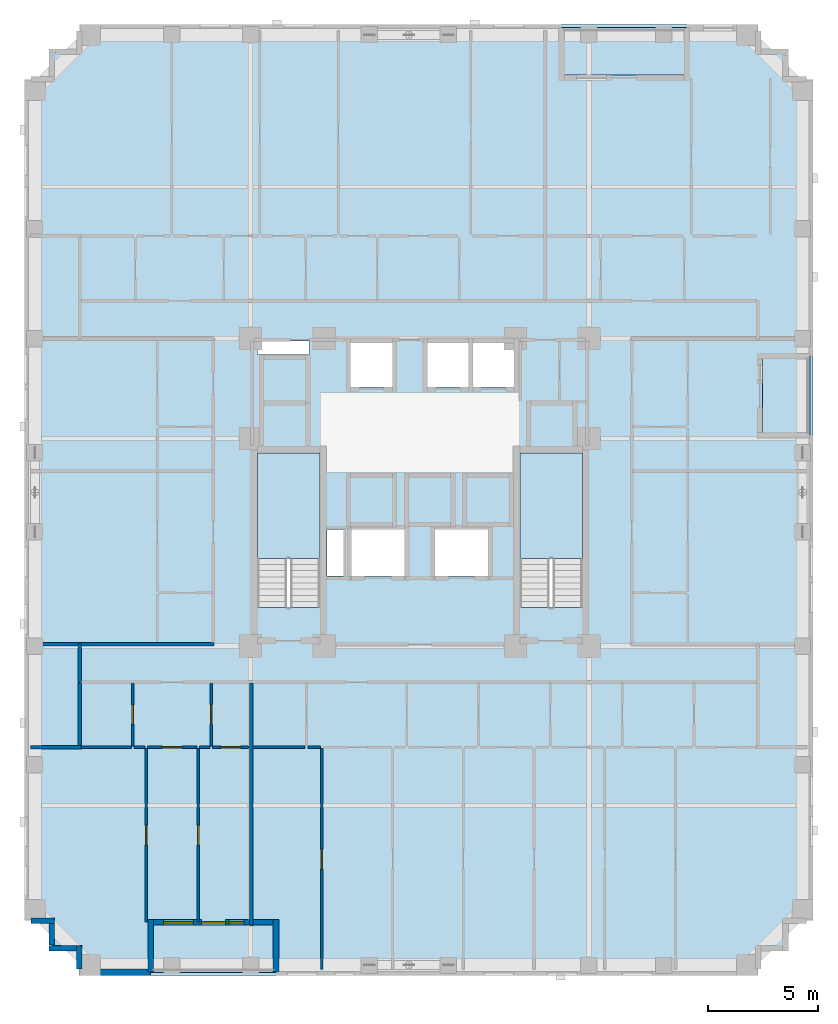
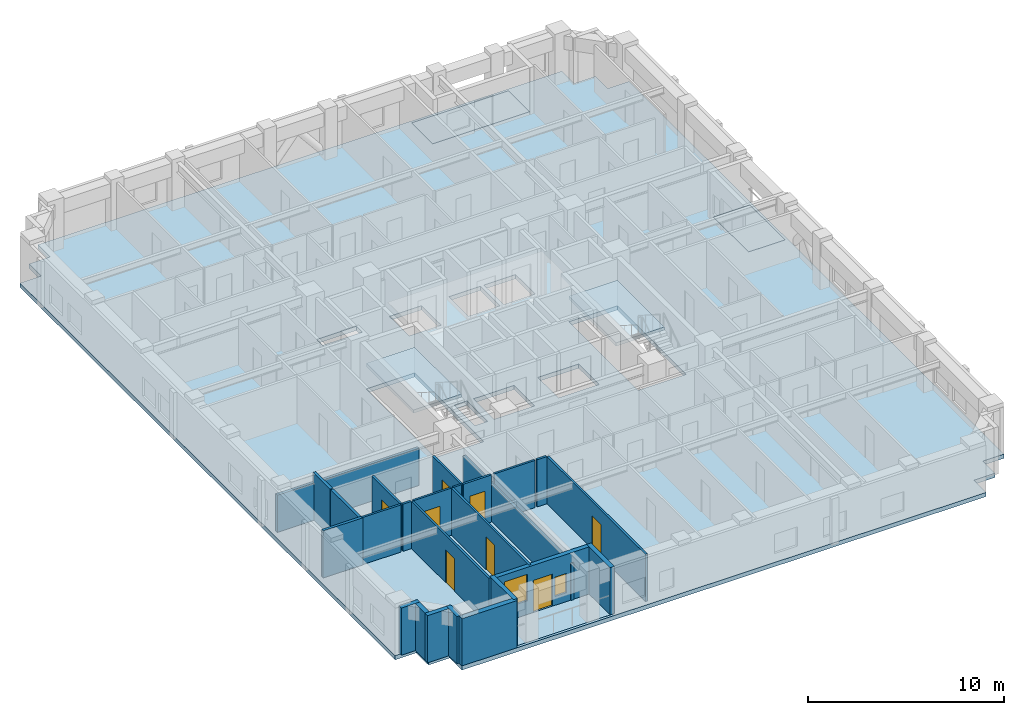
# One storey, part 2 of 12: 25 walls, 8 doors, 6 slabs, 2 windows, 10 openings, 2 elements without a shape of their own.
"""IFC4 building model written with IfcOpenShell, lengths in metres."""

from ifc_helpers import new_model, si_unit, derived_unit, direction, frame, frame_2d, origin, place, context, subcontext, project, spatial, polyline, rectangle, outline, extrude, material, layer, layer_set, type_object, element, fill, aggregate, save


model = new_model("IFC4")

# Units and contexts
model_context = context("Model", 3, precision=1e-05, world=origin(), true_north=direction((0.0, 1.0)))
body_context = subcontext(model_context, "Body", "Model", "MODEL_VIEW")
ifc_project = project(units=[si_unit("LENGTHUNIT", "METRE"), si_unit("AREAUNIT", "SQUARE_METRE"), si_unit("VOLUMEUNIT", "CUBIC_METRE"), si_unit("PLANEANGLEUNIT", "RADIAN"), si_unit("MASSUNIT", "GRAM", prefix="KILO"), derived_unit("THERMALTRANSMITTANCEUNIT", [(si_unit("MASSUNIT", "GRAM", prefix="KILO"), 1), (si_unit("TIMEUNIT", "SECOND"), -3), (si_unit("THERMODYNAMICTEMPERATUREUNIT", "KELVIN"), -1)])], contexts=[model_context])

# Site, building, storey
site_placement = place(None, origin())
site = spatial("IfcSite", under=ifc_project, at=site_placement, CompositionType="ELEMENT")
building_placement = place(site_placement, origin())
building = spatial("IfcBuilding", under=site, at=building_placement, Name="Korrvale Station Residences", CompositionType="ELEMENT")
storey_placement = place(building_placement, frame((0.0, 0.0, 113.5)))
storey = spatial("IfcBuildingStorey", under=building, at=storey_placement, Name="L32", CompositionType="ELEMENT", Elevation=113.5)

# Slabs
ifc_material_1 = material(Name="Concrete C50/60", Category="concrete")
ifc_layer_1 = layer(ifc_material_1, 0.219970703125, Name="Concrete C50/60")
ifc_layer_set_1 = layer_set([ifc_layer_1], Name="Concrete C50/60")
slab_type_1 = type_object("IfcSlabType", Name="SLB-BAL-220", PredefinedType="FLOOR", material=ifc_layer_set_1)
slab_1_placement = place(storey_placement, frame((0.0, 0.0, -0.219970703125)))
element("IfcSlab", 1, at=slab_1_placement, inside=storey, type_object=slab_type_1, Name="L32 Recessed Loggia Balcony Slab BAL-L32-S1", PredefinedType="FLOOR", context=body_context, shape_type="SweptSolid", body=[
    extrude(outline(polyline([(13.25, 0.14990234375), (18.949951171875, 0.14990234375), (18.949951171875, 2.300048828125), (13.25, 2.300048828125), (13.25, 0.14990234375)])), origin(), (0.0, 0.0, 1.0), 0.219970703125),
])
slab_2_placement = place(storey_placement, frame((0.0, 0.0, -0.219970703125)))
element("IfcSlab", 2, at=slab_2_placement, inside=storey, type_object=slab_type_1, Name="L32 Recessed Loggia Balcony Slab BAL-L32-N1", PredefinedType="FLOOR", context=body_context, shape_type="SweptSolid", body=[
    extrude(outline(polyline([(31.949951171875, 41.0), (37.64990234375, 41.0), (37.64990234375, 43.14990234375), (31.949951171875, 43.14990234375), (31.949951171875, 41.0)])), origin(), (0.0, 0.0, 1.0), 0.219970703125),
])
slab_3_placement = place(storey_placement, frame((0.0, 0.0, -0.219970703125)))
element("IfcSlab", 3, at=slab_3_placement, inside=storey, type_object=slab_type_1, Name="L32 Recessed Loggia Balcony Slab BAL-L32-E1", PredefinedType="FLOOR", context=body_context, shape_type="SweptSolid", body=[
    extrude(outline(polyline([(41.10009765625, 24.60009765625), (43.25, 24.60009765625), (43.25, 28.199951171875), (41.10009765625, 28.199951171875), (41.10009765625, 24.60009765625)])), origin(), (0.0, 0.0, 1.0), 0.219970703125),
])
ifc_layer_2 = layer(ifc_material_1, 0.260009765625, Name="Concrete C50/60")
ifc_layer_set_2 = layer_set([ifc_layer_2], Name="Concrete C50/60")
slab_type_2 = type_object("IfcSlabType", Name="SLB-FLR-260", PredefinedType="FLOOR", material=ifc_layer_set_2)
slab_4_placement = place(storey_placement, frame((0.0, 0.0, -0.260009765625)))
element("IfcSlab", 4, at=slab_4_placement, inside=storey, type_object=slab_type_2, Name="L32 Suspended Structural Floor Slab", PredefinedType="FLOOR", context=body_context, shape_type="SweptSolid", body=[
    extrude(outline(polyline([(10.0, 0.0), (40.89990234375, 0.0), (40.89990234375, 1.25), (42.14990234375, 1.25), (42.14990234375, 2.5), (43.39990234375, 2.5), (43.39990234375, 40.800048828125), (42.14990234375, 40.800048828125), (42.14990234375, 42.050048828125), (40.89990234375, 42.050048828125), (40.89990234375, 43.300048828125), (10.0, 43.300048828125), (10.0, 42.050048828125), (8.75, 42.050048828125), (8.75, 40.800048828125), (7.5, 40.800048828125), (7.5, 2.5), (8.75, 2.5), (8.75, 1.25), (10.0, 1.25), (10.0, 0.0)]), holes=[polyline([(20.949951171875, 16.751953125), (20.949951171875, 23.800048828125), (18.10009765625, 23.800048828125), (18.10009765625, 16.751953125), (20.949951171875, 16.751953125)]), polyline([(32.89990234375, 16.751953125), (32.89990234375, 23.800048828125), (30.050048828125, 23.800048828125), (30.050048828125, 16.751953125), (32.89990234375, 16.751953125)]), polyline([(22.35009765625, 26.800048828125), (24.25, 26.800048828125), (24.25, 28.800048828125), (22.35009765625, 28.800048828125), (22.35009765625, 26.800048828125)]), polyline([(25.85009765625, 26.800048828125), (27.7099609375, 26.800048828125), (27.7099609375, 28.800048828125), (25.85009765625, 28.800048828125), (25.85009765625, 26.800048828125)]), polyline([(27.929931640625, 26.800048828125), (29.7900390625, 26.800048828125), (29.7900390625, 28.800048828125), (27.929931640625, 28.800048828125), (27.929931640625, 26.800048828125)]), polyline([(22.39990234375, 18.199951171875), (24.800048828125, 18.199951171875), (24.800048828125, 20.300048828125), (22.39990234375, 20.300048828125), (22.39990234375, 18.199951171875)]), polyline([(26.199951171875, 18.199951171875), (28.60009765625, 18.199951171875), (28.60009765625, 20.300048828125), (26.199951171875, 20.300048828125), (26.199951171875, 18.199951171875)]), polyline([(18.10009765625, 28.280029296875), (20.449951171875, 28.280029296875), (20.449951171875, 28.8798828125), (18.10009765625, 28.8798828125), (18.10009765625, 28.280029296875)]), polyline([(21.280029296875, 18.199951171875), (22.02001953125, 18.199951171875), (22.02001953125, 20.300048828125), (21.280029296875, 20.300048828125), (21.280029296875, 18.199951171875)]), polyline([(13.25, 0.14990234375), (18.949951171875, 0.14990234375), (18.949951171875, 2.300048828125), (13.25, 2.300048828125), (13.25, 0.14990234375)]), polyline([(31.949951171875, 41.0), (37.64990234375, 41.0), (37.64990234375, 43.14990234375), (31.949951171875, 43.14990234375), (31.949951171875, 41.0)]), polyline([(41.10009765625, 24.60009765625), (43.25, 24.60009765625), (43.25, 28.199951171875), (41.10009765625, 28.199951171875), (41.10009765625, 24.60009765625)])]), origin(), (0.0, 0.0, 1.0), 0.260009765625),
])

# Stair, slab
stair_type = type_object("IfcStairType", Name="STR-DL-1350-18R-1778", PredefinedType="HALF_TURN_STAIR", material=ifc_material_1)
stair_1_placement = place(storey_placement, origin())
stair_1 = element("IfcStair", 5, at=stair_1_placement, inside=storey, type_object=stair_type, Name="L32 Exit Stair 1", PredefinedType="HALF_TURN_STAIR")
ifc_layer_3 = layer(ifc_material_1, 0.199951171875, Name="Concrete C50/60")
ifc_layer_set_3 = layer_set([ifc_layer_3], Name="Concrete C50/60")
slab_type_3 = type_object("IfcSlabType", Name="SLB-LND-200", PredefinedType="LANDING", material=ifc_layer_set_3)
slab_5_placement = place(storey_placement, frame((0.0, 0.0, 1.39990234375)))
slab_5 = element("IfcSlab", 6, at=slab_5_placement, type_object=slab_type_3, Name="ST-1 landing 1", PredefinedType="LANDING", context=body_context, shape_type="SweptSolid", body=[
    extrude(outline(polyline([(20.949951171875, 18.989990234375), (20.949951171875, 23.800048828125), (18.10009765625, 23.800048828125), (18.10009765625, 18.989990234375), (20.949951171875, 18.989990234375)])), origin(), (0.0, 0.0, 1.0), 0.2001953125),
])
aggregate(stair_1, [slab_5])

stair_2_placement = place(storey_placement, origin())
stair_2 = element("IfcStair", 7, at=stair_2_placement, inside=storey, type_object=stair_type, Name="L32 Exit Stair 2", PredefinedType="HALF_TURN_STAIR")
slab_6_placement = place(storey_placement, frame((0.0, 0.0, 1.39990234375)))
slab_6 = element("IfcSlab", 8, at=slab_6_placement, type_object=slab_type_3, Name="ST-2 landing 1", PredefinedType="LANDING", context=body_context, shape_type="SweptSolid", body=[
    extrude(outline(polyline([(32.89990234375, 18.989990234375), (32.89990234375, 23.800048828125), (30.050048828125, 23.800048828125), (30.050048828125, 18.989990234375), (32.89990234375, 18.989990234375)])), origin(), (0.0, 0.0, 1.0), 0.2001953125),
])
aggregate(stair_2, [slab_6])

# Wall
ifc_material_2 = material(Name="Precast concrete C45/55", Category="concrete")
ifc_layer_4 = layer(ifc_material_2, 0.260009765625, Name="Precast concrete C45/55")
ifc_layer_set_4 = layer_set([ifc_layer_4], Name="Precast concrete C45/55")
wall_type_1 = type_object("IfcWallType", Name="WAL-EXT-LOG260", PredefinedType="SOLIDWALL", material=ifc_layer_set_4)
wall_1_placement = place(storey_placement, frame((18.949951171875, 0.159912109375, 0.0), z_axis=(0.0, 0.0, 1.0), x_axis=(0.0, 1.0, 0.0)))
element("IfcWall", 9, at=wall_1_placement, inside=storey, type_object=wall_type_1, Name="L32 Recessed Loggia Wall BAL-L32-S1-L", PredefinedType="SOLIDWALL", context=body_context, shape_type="SweptSolid", body=[
    extrude(rectangle(XDim=2.400146484375, YDim=0.260009765625, at=frame_2d((1.2001953125, 0.0))), origin(), (0.0, 0.0, 1.0), 2.93994140625),
])

# Wall, openings, door, windows
wall_2_placement = place(storey_placement, frame((18.81591796875, 2.429931640625, 0.0), z_axis=(0.0, 0.0, 1.0), x_axis=(-1.0, 0.0, 0.0)))
wall_2 = element("IfcWall", 10, at=wall_2_placement, inside=storey, type_object=wall_type_1, Name="L32 Recessed Loggia Wall BAL-L32-S1-B", PredefinedType="SOLIDWALL", context=body_context, shape_type="SweptSolid", body=[
    extrude(rectangle(XDim=5.431884765625, YDim=0.260009765625, at=frame_2d((2.7158203125, 0.0))), origin(), (0.0, 0.0, 1.0), 2.93994140625),
])
opening_1_placement = place(wall_2_placement, frame((2.160888671875, 0.0, 0.0)))
opening_1 = element("IfcOpeningElement", 11, at=opening_1_placement, cuts=wall_2, Name="Opening BD-01", PredefinedType="OPENING", context=body_context, shape_type="SweptSolid", body=[
    extrude(rectangle(XDim=1.10009765625, YDim=2.0, at=frame_2d((0.550048828125, 1.0))), frame((0.0, 0.14013671875, 0.0), z_axis=(0.0, -1.0, 0.0), x_axis=(1.0, 0.0, 0.0)), (0.0, 0.0, 1.0), 0.280029296875),
])
opening_2_placement = place(wall_2_placement, frame((3.625, 0.0, 0.85009765625)))
opening_2 = element("IfcOpeningElement", 12, at=opening_2_placement, cuts=wall_2, Name="Opening W-06", PredefinedType="OPENING", context=body_context, shape_type="SweptSolid", body=[
    extrude(rectangle(XDim=1.35009765625, YDim=1.64990234375, at=frame_2d((0.675048828125, 0.824951171875))), frame((0.0, 0.14013671875, 0.0), z_axis=(0.0, -1.0, 0.0), x_axis=(1.0, 0.0, 0.0)), (0.0, 0.0, 1.0), 0.280029296875),
])
opening_3_placement = place(wall_2_placement, frame((1.321044921875, 0.0, 0.550048828125)))
opening_3 = element("IfcOpeningElement", 13, at=opening_3_placement, cuts=wall_2, Name="Opening W-12", PredefinedType="OPENING", context=body_context, shape_type="SweptSolid", body=[
    extrude(rectangle(XDim=0.679931640625, YDim=1.199951171875, at=frame_2d((0.33984375, 0.60009765625))), frame((0.0, 0.14013671875, 0.0), z_axis=(0.0, -1.0, 0.0), x_axis=(1.0, 0.0, 0.0)), (0.0, 0.0, 1.0), 0.280029296875),
])
ifc_material_3 = material(Name="Exterior thermally broken aluminium glazed balcony door", Category="aluminium")
door_type_1 = type_object("IfcDoorType", Name="DR-EXT-BAL", OperationType="NOTDEFINED", PredefinedType="DOOR", material=ifc_material_3)
door_1_placement = place(opening_1_placement, origin())
door_1 = element("IfcDoor", 14, at=door_1_placement, inside=storey, type_object=door_type_1, Name="L32 Loggia Balcony Door BAL-L32-S1", OperationType="SINGLE_SWING_RIGHT", OverallHeight=2.0, OverallWidth=1.10009765625, PredefinedType="DOOR", context=body_context, shape_type="SweptSolid", body=[
    extrude(rectangle(XDim=1.10009765625, YDim=2.0, at=frame_2d((0.550048828125, 1.0))), frame((0.0, 0.02490234375, 0.0), z_axis=(0.0, -1.0, 0.0), x_axis=(1.0, 0.0, 0.0)), (0.0, 0.0, 1.0), 0.050048828125),
])
fill(opening_1, door_1)
ifc_material_4 = material(Name="Thermally broken aluminium frame with triple low-e glazing", Category="aluminium")
window_type_1 = type_object("IfcWindowType", Name="WIN-W06", PartitioningType="SINGLE_PANEL", PredefinedType="WINDOW", material=ifc_material_4)
window_1_placement = place(opening_2_placement, origin())
window_1 = element("IfcWindow", 15, at=window_1_placement, inside=storey, type_object=window_type_1, Name="L32 Punched Window 03", OverallHeight=1.64990234375, OverallWidth=1.35009765625, PartitioningType="SINGLE_PANEL", PredefinedType="WINDOW", context=body_context, shape_type="SweptSolid", body=[
    extrude(rectangle(XDim=1.35009765625, YDim=1.64990234375, at=frame_2d((0.675048828125, 0.824951171875))), frame((0.0, 0.030029296875, 0.0), z_axis=(0.0, -1.0, 0.0), x_axis=(1.0, 0.0, 0.0)), (0.0, 0.0, 1.0), 0.06005859375),
])
fill(opening_2, window_1)
window_type_2 = type_object("IfcWindowType", Name="WIN-W12", PartitioningType="SINGLE_PANEL", PredefinedType="WINDOW", material=ifc_material_4)
window_2_placement = place(opening_3_placement, origin())
window_2 = element("IfcWindow", 16, at=window_2_placement, inside=storey, type_object=window_type_2, Name="L32 Punched Window 04", OverallHeight=1.199951171875, OverallWidth=0.679931640625, PartitioningType="SINGLE_PANEL", PredefinedType="WINDOW", context=body_context, shape_type="SweptSolid", body=[
    extrude(rectangle(XDim=0.679931640625, YDim=1.199951171875, at=frame_2d((0.33984375, 0.60009765625))), frame((0.0, 0.030029296875, 0.0), z_axis=(0.0, -1.0, 0.0), x_axis=(1.0, 0.0, 0.0)), (0.0, 0.0, 1.0), 0.06005859375),
])
fill(opening_3, window_2)

# Walls
wall_3_placement = place(storey_placement, frame((13.25, 2.56005859375, 0.0), z_axis=(0.0, 0.0, 1.0), x_axis=(0.0, -1.0, 0.0)))
element("IfcWall", 17, at=wall_3_placement, inside=storey, type_object=wall_type_1, Name="L32 Recessed Loggia Wall BAL-L32-S1-R", PredefinedType="SOLIDWALL", context=body_context, shape_type="SweptSolid", body=[
    extrude(rectangle(XDim=2.400146484375, YDim=0.260009765625, at=frame_2d((1.2001953125, 0.0))), origin(), (0.0, 0.0, 1.0), 2.93994140625),
])
wall_4_placement = place(storey_placement, frame((10.0, 0.302001953125, 0.0), z_axis=(0.0, 0.0, 1.0), x_axis=(0.0, 1.0, 0.0)))
element("IfcWall", 18, at=wall_4_placement, inside=storey, type_object=wall_type_1, Name="L32 Serrated Corner Precast Step SW-1", PredefinedType="SOLIDWALL", context=body_context, shape_type="SweptSolid", body=[
    extrude(rectangle(XDim=1.077880859375, YDim=0.260009765625, at=frame_2d((0.5390625, 0.0))), origin(), (0.0, 0.0, 1.0), 2.93994140625),
])
wall_5_placement = place(storey_placement, frame((9.867919921875, 1.25, 0.0), z_axis=(0.0, 0.0, 1.0), x_axis=(-1.0, 0.0, 0.0)))
element("IfcWall", 19, at=wall_5_placement, inside=storey, type_object=wall_type_1, Name="L32 Serrated Corner Precast Step SW-2", PredefinedType="SOLIDWALL", context=body_context, shape_type="SweptSolid", body=[
    extrude(rectangle(XDim=1.247802734375, YDim=0.260009765625, at=frame_2d((0.6240234375, 0.0))), origin(), (0.0, 0.0, 1.0), 2.93994140625),
])
wall_6_placement = place(storey_placement, frame((8.75, 1.382080078125, 0.0), z_axis=(0.0, 0.0, 1.0), x_axis=(0.0, 1.0, 0.0)))
element("IfcWall", 20, at=wall_6_placement, inside=storey, type_object=wall_type_1, Name="L32 Serrated Corner Precast Step SW-3", PredefinedType="SOLIDWALL", context=body_context, shape_type="SweptSolid", body=[
    extrude(rectangle(XDim=0.98583984375, YDim=0.260009765625, at=frame_2d((0.492919921875, 0.0))), origin(), (0.0, 0.0, 1.0), 2.93994140625),
])
wall_7_placement = place(storey_placement, frame((8.8798828125, 2.5, 0.0), z_axis=(0.0, 0.0, 1.0), x_axis=(-1.0, 0.0, 0.0)))
element("IfcWall", 21, at=wall_7_placement, inside=storey, type_object=wall_type_1, Name="L32 Serrated Corner Precast Step SW-4", PredefinedType="SOLIDWALL", context=body_context, shape_type="SweptSolid", body=[
    extrude(rectangle(XDim=1.077880859375, YDim=0.260009765625, at=frame_2d((0.5390625, 0.0))), origin(), (0.0, 0.0, 1.0), 2.93994140625),
])
ifc_layer_5 = layer(ifc_material_2, 0.300048828125, Name="Precast concrete C45/55")
ifc_layer_set_5 = layer_set([ifc_layer_5], Name="Precast concrete C45/55")
wall_type_2 = type_object("IfcWallType", Name="WAL-EXT-PC300", PredefinedType="SOLIDWALL", material=ifc_layer_set_5)
wall_8_placement = place(storey_placement, frame((13.25, 0.14990234375, 0.0), z_axis=(0.0, 0.0, 1.0), x_axis=(-1.0, 0.0, 0.0)))
element("IfcWall", 22, at=wall_8_placement, inside=storey, type_object=wall_type_2, Name="L32 South Exterior Precast Wall 2", PredefinedType="SOLIDWALL", context=body_context, shape_type="SweptSolid", body=[
    extrude(rectangle(XDim=3.25, YDim=0.300048828125, at=frame_2d((1.625, 0.0))), origin(), (0.0, 0.0, 1.0), 2.93994140625),
])

# Wall, opening, door
ifc_material_5 = material(Name="Acoustic steel-stud gypsum board partition", Category="steel")
ifc_layer_6 = layer(ifc_material_5, 0.1201171875, Name="Acoustic steel-stud gypsum board partition")
ifc_layer_set_6 = layer_set([ifc_layer_6], Name="Acoustic steel-stud gypsum board partition")
wall_type_3 = type_object("IfcWallType", Name="WAL-PART-125", PredefinedType="PARTITIONING", material=ifc_layer_set_6)
wall_9_placement = place(storey_placement, frame((12.431884765625, 10.4599609375, 0.0), z_axis=(0.0, 0.0, 1.0), x_axis=(0.0, 1.0, 0.0)))
wall_9 = element("IfcWall", 23, at=wall_9_placement, inside=storey, type_object=wall_type_3, Name="L32 Suite Partition U01-V01", PredefinedType="PARTITIONING", context=body_context, shape_type="SweptSolid", body=[
    extrude(rectangle(XDim=2.85009765625, YDim=0.1201171875, at=frame_2d((1.425048828125, 0.0))), origin(), (0.0, 0.0, 1.0), 2.93994140625),
])
opening_4_placement = place(wall_9_placement, frame((0.9951171875, 0.0, 0.0)))
opening_4 = element("IfcOpeningElement", 24, at=opening_4_placement, cuts=wall_9, Name="Opening DB-860", PredefinedType="OPENING", context=body_context, shape_type="SweptSolid", body=[
    extrude(rectangle(XDim=0.860107421875, YDim=2.050048828125, at=frame_2d((0.43017578125, 1.02490234375))), frame((0.0, 0.070068359375, 0.0), z_axis=(0.0, -1.0, 0.0), x_axis=(1.0, 0.0, 0.0)), (0.0, 0.0, 1.0), 0.14013671875),
])
ifc_material_6 = material(Name="Moisture-resistant solid-core bathroom door", Category="timber")
door_type_2 = type_object("IfcDoorType", Name="DR-BATH-860", OperationType="NOTDEFINED", PredefinedType="DOOR", material=ifc_material_6)
door_2_placement = place(opening_4_placement, origin())
door_2 = element("IfcDoor", 25, at=door_2_placement, inside=storey, type_object=door_type_2, Name="L32 Apartment 2BR L32-U01 Bathroom Door", OperationType="SINGLE_SWING_LEFT", OverallHeight=2.050048828125, OverallWidth=0.860107421875, PredefinedType="DOOR", context=body_context, shape_type="SweptSolid", body=[
    extrude(rectangle(XDim=0.860107421875, YDim=2.050048828125, at=frame_2d((0.43017578125, 1.02490234375))), frame((0.0, 0.02490234375, 0.0), z_axis=(0.0, -1.0, 0.0), x_axis=(1.0, 0.0, 0.0)), (0.0, 0.0, 1.0), 0.050048828125),
])
fill(opening_4, door_2)

# Wall
wall_10_placement = place(storey_placement, frame((10.080078125, 10.39990234375, 0.0), z_axis=(0.0, 0.0, 1.0), x_axis=(1.0, 0.0, 0.0)))
element("IfcWall", 26, at=wall_10_placement, inside=storey, type_object=wall_type_3, Name="L32 Suite Partition U01-H03", PredefinedType="PARTITIONING", context=body_context, shape_type="SweptSolid", body=[
    extrude(rectangle(XDim=2.2919921875, YDim=0.1201171875, at=frame_2d((1.14599609375, 0.0))), origin(), (0.0, 0.0, 1.0), 2.93994140625),
])

# Wall, opening, door
wall_11_placement = place(storey_placement, frame((16.001953125, 10.4599609375, 0.0), z_axis=(0.0, 0.0, 1.0), x_axis=(0.0, 1.0, 0.0)))
wall_11 = element("IfcWall", 27, at=wall_11_placement, inside=storey, type_object=wall_type_3, Name="L32 Suite Partition U01-V12", PredefinedType="PARTITIONING", context=body_context, shape_type="SweptSolid", body=[
    extrude(rectangle(XDim=2.85009765625, YDim=0.1201171875, at=frame_2d((1.425048828125, 0.0))), origin(), (0.0, 0.0, 1.0), 2.93994140625),
])
opening_5_placement = place(wall_11_placement, frame((0.97509765625, 0.0, 0.0)))
opening_5 = element("IfcOpeningElement", 28, at=opening_5_placement, cuts=wall_11, Name="Opening DI-900", PredefinedType="OPENING", context=body_context, shape_type="SweptSolid", body=[
    extrude(rectangle(XDim=0.89990234375, YDim=2.050048828125, at=frame_2d((0.449951171875, 1.02490234375))), frame((0.0, 0.070068359375, 0.0), z_axis=(0.0, -1.0, 0.0), x_axis=(1.0, 0.0, 0.0)), (0.0, 0.0, 1.0), 0.14013671875),
])
ifc_material_7 = material(Name="Painted solid-core timber interior room door", Category="wood")
door_type_3 = type_object("IfcDoorType", Name="DR-INT-900", OperationType="NOTDEFINED", PredefinedType="DOOR", material=ifc_material_7)
door_3_placement = place(opening_5_placement, origin())
door_3 = element("IfcDoor", 29, at=door_3_placement, inside=storey, type_object=door_type_3, Name="L32 Apartment 2BR L32-U01 Kitchen Door", OperationType="SINGLE_SWING_RIGHT", OverallHeight=2.050048828125, OverallWidth=0.89990234375, PredefinedType="DOOR", context=body_context, shape_type="SweptSolid", body=[
    extrude(rectangle(XDim=0.89990234375, YDim=2.050048828125, at=frame_2d((0.449951171875, 1.02490234375))), frame((0.0, 0.02490234375, 0.0), z_axis=(0.0, -1.0, 0.0), x_axis=(1.0, 0.0, 0.0)), (0.0, 0.0, 1.0), 0.050048828125),
])
fill(opening_5, door_3)

# Wall
wall_12_placement = place(storey_placement, frame((12.491943359375, 10.39990234375, 0.0), z_axis=(0.0, 0.0, 1.0), x_axis=(1.0, 0.0, 0.0)))
element("IfcWall", 30, at=wall_12_placement, inside=storey, type_object=wall_type_3, Name="L32 Suite Partition U01-H13", PredefinedType="PARTITIONING", context=body_context, shape_type="SweptSolid", body=[
    extrude(rectangle(XDim=0.498046875, YDim=0.1201171875, at=frame_2d((0.2490234375, 0.0))), origin(), (0.0, 0.0, 1.0), 2.93994140625),
])

# Wall, opening, door
wall_13_placement = place(storey_placement, frame((13.110107421875, 10.39990234375, 0.0), z_axis=(0.0, 0.0, 1.0), x_axis=(1.0, 0.0, 0.0)))
wall_13 = element("IfcWall", 31, at=wall_13_placement, inside=storey, type_object=wall_type_3, Name="L32 Suite Partition U01-H14", PredefinedType="PARTITIONING", context=body_context, shape_type="SweptSolid", body=[
    extrude(rectangle(XDim=2.244873046875, YDim=0.1201171875, at=frame_2d((1.12255859375, 0.0))), origin(), (0.0, 0.0, 1.0), 2.93994140625),
])
opening_6_placement = place(wall_13_placement, frame((0.673095703125, 0.0, 0.0)))
opening_6 = element("IfcOpeningElement", 32, at=opening_6_placement, cuts=wall_13, Name="Opening DI-900", PredefinedType="OPENING", context=body_context, shape_type="SweptSolid", body=[
    extrude(rectangle(XDim=0.89990234375, YDim=2.050048828125, at=frame_2d((0.449951171875, 1.02490234375))), frame((0.0, 0.070068359375, 0.0), z_axis=(0.0, -1.0, 0.0), x_axis=(1.0, 0.0, 0.0)), (0.0, 0.0, 1.0), 0.14013671875),
])
door_4_placement = place(opening_6_placement, origin())
door_4 = element("IfcDoor", 33, at=door_4_placement, inside=storey, type_object=door_type_3, Name="L32 Apartment 2BR L32-U01 Kitchen Door", OperationType="SINGLE_SWING_LEFT", OverallHeight=2.050048828125, OverallWidth=0.89990234375, PredefinedType="DOOR", context=body_context, shape_type="SweptSolid", body=[
    extrude(rectangle(XDim=0.89990234375, YDim=2.050048828125, at=frame_2d((0.449951171875, 1.02490234375))), frame((0.0, 0.02490234375, 0.0), z_axis=(0.0, -1.0, 0.0), x_axis=(1.0, 0.0, 0.0)), (0.0, 0.0, 1.0), 0.050048828125),
])
fill(opening_6, door_4)

# Wall
wall_14_placement = place(storey_placement, frame((15.47509765625, 10.39990234375, 0.0), z_axis=(0.0, 0.0, 1.0), x_axis=(1.0, 0.0, 0.0)))
element("IfcWall", 34, at=wall_14_placement, inside=storey, type_object=wall_type_3, Name="L32 Suite Partition U01-H15", PredefinedType="PARTITIONING", context=body_context, shape_type="SweptSolid", body=[
    extrude(rectangle(XDim=0.466796875, YDim=0.1201171875, at=frame_2d((0.2333984375, 0.0))), origin(), (0.0, 0.0, 1.0), 2.93994140625),
])

# Wall, opening, door
wall_15_placement = place(storey_placement, frame((16.06201171875, 10.39990234375, 0.0), z_axis=(0.0, 0.0, 1.0), x_axis=(1.0, 0.0, 0.0)))
wall_15 = element("IfcWall", 35, at=wall_15_placement, inside=storey, type_object=wall_type_3, Name="L32 Suite Partition U01-H25", PredefinedType="PARTITIONING", context=body_context, shape_type="SweptSolid", body=[
    extrude(rectangle(XDim=1.657958984375, YDim=0.1201171875, at=frame_2d((0.8291015625, 0.0))), origin(), (0.0, 0.0, 1.0), 2.93994140625),
])
opening_7_placement = place(wall_15_placement, frame((0.37890625, 0.0, 0.0)))
opening_7 = element("IfcOpeningElement", 36, at=opening_7_placement, cuts=wall_15, Name="Opening DI-900", PredefinedType="OPENING", context=body_context, shape_type="SweptSolid", body=[
    extrude(rectangle(XDim=0.89990234375, YDim=2.050048828125, at=frame_2d((0.449951171875, 1.02490234375))), frame((0.0, 0.070068359375, 0.0), z_axis=(0.0, -1.0, 0.0), x_axis=(1.0, 0.0, 0.0)), (0.0, 0.0, 1.0), 0.14013671875),
])
door_5_placement = place(opening_7_placement, origin())
door_5 = element("IfcDoor", 37, at=door_5_placement, inside=storey, type_object=door_type_3, Name="L32 Apartment 2BR L32-U01 Utility and Laundry Room Door", OperationType="SINGLE_SWING_RIGHT", OverallHeight=2.050048828125, OverallWidth=0.89990234375, PredefinedType="DOOR", context=body_context, shape_type="SweptSolid", body=[
    extrude(rectangle(XDim=0.89990234375, YDim=2.050048828125, at=frame_2d((0.449951171875, 1.02490234375))), frame((0.0, 0.02490234375, 0.0), z_axis=(0.0, -1.0, 0.0), x_axis=(1.0, 0.0, 0.0)), (0.0, 0.0, 1.0), 0.050048828125),
])
fill(opening_7, door_5)

wall_16_placement = place(storey_placement, frame((13.050048828125, 2.429931640625, 0.0), z_axis=(0.0, 0.0, 1.0), x_axis=(0.0, 1.0, 0.0)))
wall_16 = element("IfcWall", 38, at=wall_16_placement, inside=storey, type_object=wall_type_3, Name="L32 Suite Partition U01-V34", PredefinedType="PARTITIONING", context=body_context, shape_type="SweptSolid", body=[
    extrude(rectangle(XDim=7.91015625, YDim=0.1201171875, at=frame_2d((3.955078125, 0.0))), origin(), (0.0, 0.0, 1.0), 2.93994140625),
])
opening_8_placement = place(wall_16_placement, frame((3.5048828125, 0.0, 0.0)))
opening_8 = element("IfcOpeningElement", 39, at=opening_8_placement, cuts=wall_16, Name="Opening DI-900", PredefinedType="OPENING", context=body_context, shape_type="SweptSolid", body=[
    extrude(rectangle(XDim=0.89990234375, YDim=2.050048828125, at=frame_2d((0.449951171875, 1.02490234375))), frame((0.0, 0.070068359375, 0.0), z_axis=(0.0, -1.0, 0.0), x_axis=(1.0, 0.0, 0.0)), (0.0, 0.0, 1.0), 0.14013671875),
])
door_6_placement = place(opening_8_placement, origin())
door_6 = element("IfcDoor", 40, at=door_6_placement, inside=storey, type_object=door_type_3, Name="L32 Apartment 2BR L32-U01 Living and Dining Room Door", OperationType="SINGLE_SWING_LEFT", OverallHeight=2.050048828125, OverallWidth=0.89990234375, PredefinedType="DOOR", context=body_context, shape_type="SweptSolid", body=[
    extrude(rectangle(XDim=0.89990234375, YDim=2.050048828125, at=frame_2d((0.449951171875, 1.02490234375))), frame((0.0, 0.02490234375, 0.0), z_axis=(0.0, -1.0, 0.0), x_axis=(1.0, 0.0, 0.0)), (0.0, 0.0, 1.0), 0.050048828125),
])
fill(opening_8, door_6)

wall_17_placement = place(storey_placement, frame((15.4150390625, 2.429931640625, 0.0), z_axis=(0.0, 0.0, 1.0), x_axis=(0.0, 1.0, 0.0)))
wall_17 = element("IfcWall", 41, at=wall_17_placement, inside=storey, type_object=wall_type_3, Name="L32 Suite Partition U01-V45", PredefinedType="PARTITIONING", context=body_context, shape_type="SweptSolid", body=[
    extrude(rectangle(XDim=7.91015625, YDim=0.1201171875, at=frame_2d((3.955078125, 0.0))), origin(), (0.0, 0.0, 1.0), 2.93994140625),
])
opening_9_placement = place(wall_17_placement, frame((3.5048828125, 0.0, 0.0)))
opening_9 = element("IfcOpeningElement", 42, at=opening_9_placement, cuts=wall_17, Name="Opening DI-900", PredefinedType="OPENING", context=body_context, shape_type="SweptSolid", body=[
    extrude(rectangle(XDim=0.89990234375, YDim=2.050048828125, at=frame_2d((0.449951171875, 1.02490234375))), frame((0.0, 0.070068359375, 0.0), z_axis=(0.0, -1.0, 0.0), x_axis=(1.0, 0.0, 0.0)), (0.0, 0.0, 1.0), 0.14013671875),
])
door_7_placement = place(opening_9_placement, origin())
door_7 = element("IfcDoor", 43, at=door_7_placement, inside=storey, type_object=door_type_3, Name="L32 Apartment 2BR L32-U01 Bedroom 1 Door", OperationType="SINGLE_SWING_RIGHT", OverallHeight=2.050048828125, OverallWidth=0.89990234375, PredefinedType="DOOR", context=body_context, shape_type="SweptSolid", body=[
    extrude(rectangle(XDim=0.89990234375, YDim=2.050048828125, at=frame_2d((0.449951171875, 1.02490234375))), frame((0.0, 0.02490234375, 0.0), z_axis=(0.0, -1.0, 0.0), x_axis=(1.0, 0.0, 0.0)), (0.0, 0.0, 1.0), 0.050048828125),
])
fill(opening_9, door_7)

# Walls
wall_18_placement = place(storey_placement, frame((17.8798828125, 10.39990234375, 0.0), z_axis=(0.0, 0.0, 1.0), x_axis=(1.0, 0.0, 0.0)))
element("IfcWall", 44, at=wall_18_placement, inside=storey, type_object=wall_type_3, Name="L32 Suite Partition U02-H07", PredefinedType="PARTITIONING", context=body_context, shape_type="SweptSolid", body=[
    extrude(rectangle(XDim=2.400146484375, YDim=0.1201171875, at=frame_2d((1.2001953125, 0.0))), origin(), (0.0, 0.0, 1.0), 2.93994140625),
])
wall_19_placement = place(storey_placement, frame((20.39990234375, 10.39990234375, 0.0), z_axis=(0.0, 0.0, 1.0), x_axis=(1.0, 0.0, 0.0)))
element("IfcWall", 45, at=wall_19_placement, inside=storey, type_object=wall_type_3, Name="L32 Suite Partition U02-H17", PredefinedType="PARTITIONING", context=body_context, shape_type="SweptSolid", body=[
    extrude(rectangle(XDim=0.580078125, YDim=0.1201171875, at=frame_2d((0.2900390625, 0.0))), origin(), (0.0, 0.0, 1.0), 2.93994140625),
])

# Wall, opening, door
wall_20_placement = place(storey_placement, frame((21.0400390625, 0.280029296875, 0.0), z_axis=(0.0, 0.0, 1.0), x_axis=(0.0, 1.0, 0.0)))
wall_20 = element("IfcWall", 46, at=wall_20_placement, inside=storey, type_object=wall_type_3, Name="L32 Suite Partition U02-V78", PredefinedType="PARTITIONING", context=body_context, shape_type="SweptSolid", body=[
    extrude(rectangle(XDim=10.06005859375, YDim=0.1201171875, at=frame_2d((5.030029296875, 0.0))), origin(), (0.0, 0.0, 1.0), 2.93994140625),
])
opening_10_placement = place(wall_20_placement, frame((4.56494140625, 0.0, 0.0)))
opening_10 = element("IfcOpeningElement", 47, at=opening_10_placement, cuts=wall_20, Name="Opening DI-900", PredefinedType="OPENING", context=body_context, shape_type="SweptSolid", body=[
    extrude(rectangle(XDim=0.89990234375, YDim=2.050048828125, at=frame_2d((0.449951171875, 1.02490234375))), frame((0.0, 0.070068359375, 0.0), z_axis=(0.0, -1.0, 0.0), x_axis=(1.0, 0.0, 0.0)), (0.0, 0.0, 1.0), 0.14013671875),
])
door_8_placement = place(opening_10_placement, origin())
door_8 = element("IfcDoor", 48, at=door_8_placement, inside=storey, type_object=door_type_3, Name="L32 Studio Apartment L32-U02 Formal Dining Room Door", OperationType="SINGLE_SWING_LEFT", OverallHeight=2.050048828125, OverallWidth=0.89990234375, PredefinedType="DOOR", context=body_context, shape_type="SweptSolid", body=[
    extrude(rectangle(XDim=0.89990234375, YDim=2.050048828125, at=frame_2d((0.449951171875, 1.02490234375))), frame((0.0, 0.02490234375, 0.0), z_axis=(0.0, -1.0, 0.0), x_axis=(1.0, 0.0, 0.0)), (0.0, 0.0, 1.0), 0.050048828125),
])
fill(opening_10, door_8)

# Walls
ifc_material_8 = material(Name="Fire-rated twin-stud gypsum and mineral wool shaftwall assembly", Category="gypsum")
ifc_layer_7 = layer(ifc_material_8, 0.159912109375, Name="Fire-rated twin-stud gypsum and mineral wool shaftwall assembly")
ifc_layer_set_7 = layer_set([ifc_layer_7], Name="Fire-rated twin-stud gypsum and mineral wool shaftwall assembly")
wall_type_4 = type_object("IfcWallType", Name="WAL-PART-200", PredefinedType="PARTITIONING", material=ifc_layer_set_7)
wall_21_placement = place(storey_placement, frame((10.02001953125, 13.35009765625, 0.0), z_axis=(0.0, 0.0, 1.0), x_axis=(0.0, 1.0, 0.0)))
element("IfcWall", 49, at=wall_21_placement, inside=storey, type_object=wall_type_4, Name="L32 Corridor South West Cap", PredefinedType="PARTITIONING", context=body_context, shape_type="SweptSolid", body=[
    extrude(rectangle(XDim=1.739990234375, YDim=0.159912109375, at=frame_2d((0.8701171875, 0.0))), origin(), (0.0, 0.0, 1.0), 2.93994140625),
])
wall_22_placement = place(storey_placement, frame((7.780029296875, 15.090087890625, 0.0), z_axis=(0.0, 0.0, 1.0), x_axis=(1.0, 0.0, 0.0)))
element("IfcWall", 50, at=wall_22_placement, inside=storey, type_object=wall_type_4, Name="L32 West Wing South Corridor Wall", PredefinedType="PARTITIONING", context=body_context, shape_type="SweptSolid", body=[
    extrude(rectangle(XDim=8.35986328125, YDim=0.159912109375, at=frame_2d((4.179931640625, 0.0))), origin(), (0.0, 0.0, 1.0), 2.31298828125),
])
wall_23_placement = place(storey_placement, frame((7.780029296875, 10.39990234375, 0.0), z_axis=(0.0, 0.0, 1.0), x_axis=(1.0, 0.0, 0.0)))
element("IfcWall", 51, at=wall_23_placement, inside=storey, type_object=wall_type_4, Name="L32 Corner Step Wall U01-L", PredefinedType="PARTITIONING", context=body_context, shape_type="SweptSolid", body=[
    extrude(rectangle(XDim=2.340087890625, YDim=0.159912109375, at=frame_2d((1.169921875, 0.0))), origin(), (0.0, 0.0, 1.0), 2.93994140625),
])
wall_24_placement = place(storey_placement, frame((10.02001953125, 10.39990234375, 0.0), z_axis=(0.0, 0.0, 1.0), x_axis=(0.0, 1.0, 0.0)))
element("IfcWall", 52, at=wall_24_placement, inside=storey, type_object=wall_type_4, Name="L32 Corner Step Cheek U01-L", PredefinedType="PARTITIONING", context=body_context, shape_type="SweptSolid", body=[
    extrude(rectangle(XDim=2.91015625, YDim=0.159912109375, at=frame_2d((1.455078125, 0.0))), origin(), (0.0, 0.0, 1.0), 2.93994140625),
])
wall_25_placement = place(storey_placement, frame((17.820068359375, 2.260009765625, 0.0), z_axis=(0.0, 0.0, 1.0), x_axis=(0.0, 1.0, 0.0)))
element("IfcWall", 53, at=wall_25_placement, inside=storey, type_object=wall_type_4, Name="L32 Demising Wall U02-W", PredefinedType="PARTITIONING", context=body_context, shape_type="SweptSolid", body=[
    extrude(rectangle(XDim=11.050048828125, YDim=0.159912109375, at=frame_2d((5.52490234375, 0.0))), origin(), (0.0, 0.0, 1.0), 2.31298828125),
])

save(model, "model.ifc")
